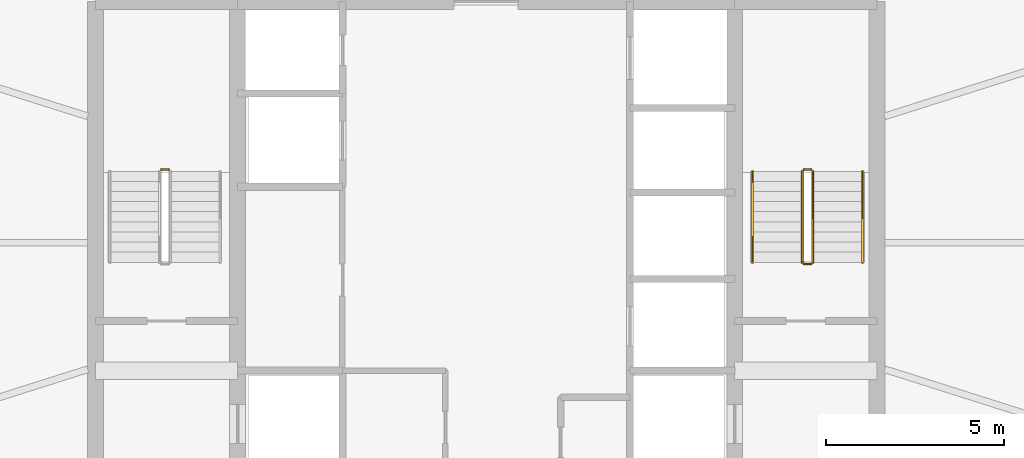
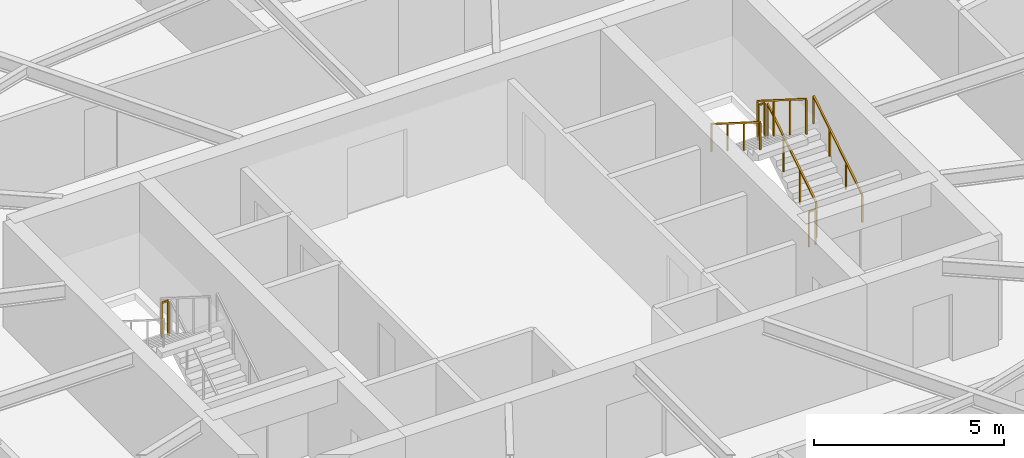
# One storey, part 29 of 29: 7 railings.
"""IFC4 building model written with IfcOpenShell, lengths in metres."""

from ifc_helpers import new_model, si_unit, direction, frame, origin, origin_2d, place, context, subcontext, project, spatial, rectangle, extrude, material, type_object, element, save


model = new_model("IFC4")

# Units and contexts
model_context = context("Model", 3, precision=1e-05, world=origin(), true_north=direction((0.0, 1.0)))
body_context = subcontext(model_context, "Body", "Model", "MODEL_VIEW")
ifc_project = project(units=[si_unit("LENGTHUNIT", "METRE"), si_unit("AREAUNIT", "SQUARE_METRE"), si_unit("VOLUMEUNIT", "CUBIC_METRE"), si_unit("PLANEANGLEUNIT", "RADIAN"), si_unit("MASSUNIT", "GRAM", prefix="KILO")], contexts=[model_context])

# Site, building, storey
site_placement = place(None, origin())
site = spatial("IfcSite", under=ifc_project, at=site_placement, CompositionType="ELEMENT")
building_placement = place(site_placement, origin())
building = spatial("IfcBuilding", under=site, at=building_placement, Name="Sarneth Arch Tower", CompositionType="ELEMENT")
storey_placement = place(building_placement, frame((0.0, 0.0, 165.0)))
storey = spatial("IfcBuildingStorey", under=building, at=storey_placement, Name="L41", CompositionType="ELEMENT", Elevation=165.0)

# Railings
ifc_material_1 = material(Name="Brushed Stainless Steel 304 tubular handrail", Category="steel")
railing_type_1 = type_object("IfcRailingType", Name="RAIL-HANDRAIL-900", PredefinedType="HANDRAIL", material=ifc_material_1)
railing_1_placement = place(storey_placement, frame((58.60009765625, 41.449951171875, 0.179931640625)))
element("IfcRailing", 1, at=railing_1_placement, inside=storey, type_object=railing_type_1, Name="L41 ST-2 stair handrail 1", PredefinedType="HANDRAIL", context=body_context, shape_type="SweptSolid", body=[
    extrude(rectangle(XDim=0.048095703125, YDim=0.048095703125, at=origin_2d()), frame((0.0, 0.0, 0.8759765625), z_axis=(0.0, 0.845465955043, 0.534029323973), x_axis=(-1.0, 0.0, 0.0)), (0.0, 0.0, 1.0), 3.03369140625),
    extrude(rectangle(XDim=0.0419921875, YDim=0.0419921875, at=origin_2d()), origin(), (0.0, 0.0, 1.0), 0.851806640625),
    extrude(rectangle(XDim=0.0419921875, YDim=0.0419921875, at=origin_2d()), frame((0.0, 0.85498046875, 0.5400390625)), (0.0, 0.0, 1.0), 0.851806640625),
    extrude(rectangle(XDim=0.0419921875, YDim=0.0419921875, at=origin_2d()), frame((0.0, 1.7099609375, 1.080078125)), (0.0, 0.0, 1.0), 0.851806640625),
    extrude(rectangle(XDim=0.0419921875, YDim=0.0419921875, at=origin_2d()), frame((0.0, 2.56494140625, 1.6201171875)), (0.0, 0.0, 1.0), 0.851806640625),
])
railing_2_placement = place(storey_placement, frame((55.5, 44.014892578125, 1.97998046875)))
element("IfcRailing", 2, at=railing_2_placement, inside=storey, type_object=railing_type_1, Name="L41 ST-2 stair handrail 2", PredefinedType="HANDRAIL", context=body_context, shape_type="SweptSolid", body=[
    extrude(rectangle(XDim=0.048095703125, YDim=0.048095703125, at=origin_2d()), frame((0.0, 0.0, 0.8759765625), z_axis=(0.0, -0.845465955043, 0.534029323973), x_axis=(1.0, 0.0, 0.0)), (0.0, 0.0, 1.0), 3.03369140625),
    extrude(rectangle(XDim=0.0419921875, YDim=0.0419921875, at=origin_2d()), origin(), (0.0, 0.0, 1.0), 0.851806640625),
    extrude(rectangle(XDim=0.0419921875, YDim=0.0419921875, at=origin_2d()), frame((0.0, -0.85498046875, 0.5400390625)), (0.0, 0.0, 1.0), 0.851806640625),
    extrude(rectangle(XDim=0.0419921875, YDim=0.0419921875, at=origin_2d()), frame((0.0, -1.7099609375, 1.080078125)), (0.0, 0.0, 1.0), 0.851806640625),
    extrude(rectangle(XDim=0.0419921875, YDim=0.0419921875, at=origin_2d()), frame((0.0, -2.56494140625, 1.6201171875)), (0.0, 0.0, 1.0), 0.851806640625),
])
ifc_material_2 = material(Name="Painted Steel S275 stair well guard", Category="steel")
railing_type_2 = type_object("IfcRailingType", Name="RAIL-STAIR-GUARD", PredefinedType="GUARDRAIL", material=ifc_material_2)
railing_3_placement = place(storey_placement, frame((39.050048828125, 44.06494140625, 1.800048828125)))
element("IfcRailing", 3, at=railing_3_placement, inside=storey, type_object=railing_type_2, Name="L41 ST-1 stair guard 2", PredefinedType="GUARDRAIL", context=body_context, shape_type="SweptSolid", body=[
    extrude(rectangle(XDim=0.048095703125, YDim=0.048095703125, at=origin_2d()), frame((0.0, 0.0, 1.1259765625), z_axis=(-1.0, 0.0, 0.0), x_axis=(0.0, -1.0, 0.0)), (0.0, 0.0, 1.0), 0.199951171875),
    extrude(rectangle(XDim=0.0419921875, YDim=0.0419921875, at=origin_2d()), origin(), (0.0, 0.0, 1.0), 1.101806640625),
    extrude(rectangle(XDim=0.0419921875, YDim=0.0419921875, at=origin_2d()), frame((-0.199951171875, 0.0, 0.0)), (0.0, 0.0, 1.0), 1.101806640625),
])
railing_4_placement = place(storey_placement, frame((57.199951171875, 41.449951171875, 0.179931640625)))
element("IfcRailing", 4, at=railing_4_placement, inside=storey, type_object=railing_type_2, Name="L41 ST-2 stair guard 1", PredefinedType="GUARDRAIL", context=body_context, shape_type="SweptSolid", body=[
    extrude(rectangle(XDim=0.048095703125, YDim=0.048095703125, at=origin_2d()), frame((0.0, 0.0, 1.1259765625), z_axis=(0.0, 0.845465955043, 0.534029323973), x_axis=(-1.0, 0.0, 0.0)), (0.0, 0.0, 1.0), 3.03369140625),
    extrude(rectangle(XDim=0.0419921875, YDim=0.0419921875, at=origin_2d()), origin(), (0.0, 0.0, 1.0), 1.101806640625),
    extrude(rectangle(XDim=0.0419921875, YDim=0.0419921875, at=origin_2d()), frame((0.0, 0.85498046875, 0.5400390625)), (0.0, 0.0, 1.0), 1.101806640625),
    extrude(rectangle(XDim=0.0419921875, YDim=0.0419921875, at=origin_2d()), frame((0.0, 1.7099609375, 1.080078125)), (0.0, 0.0, 1.0), 1.101806640625),
    extrude(rectangle(XDim=0.0419921875, YDim=0.0419921875, at=origin_2d()), frame((0.0, 2.56494140625, 1.6201171875)), (0.0, 0.0, 1.0), 1.101806640625),
])
railing_5_placement = place(storey_placement, frame((57.14990234375, 44.06494140625, 1.800048828125)))
element("IfcRailing", 5, at=railing_5_placement, inside=storey, type_object=railing_type_2, Name="L41 ST-2 stair guard 2", PredefinedType="GUARDRAIL", context=body_context, shape_type="SweptSolid", body=[
    extrude(rectangle(XDim=0.048095703125, YDim=0.048095703125, at=origin_2d()), frame((0.0, 0.0, 1.1259765625), z_axis=(-1.0, 0.0, 0.0), x_axis=(0.0, -1.0, 0.0)), (0.0, 0.0, 1.0), 0.199951171875),
    extrude(rectangle(XDim=0.0419921875, YDim=0.0419921875, at=origin_2d()), origin(), (0.0, 0.0, 1.0), 1.101806640625),
    extrude(rectangle(XDim=0.0419921875, YDim=0.0419921875, at=origin_2d()), frame((-0.199951171875, 0.0, 0.0)), (0.0, 0.0, 1.0), 1.101806640625),
])
railing_6_placement = place(storey_placement, frame((56.89990234375, 44.014892578125, 1.97998046875)))
element("IfcRailing", 6, at=railing_6_placement, inside=storey, type_object=railing_type_2, Name="L41 ST-2 stair guard 3", PredefinedType="GUARDRAIL", context=body_context, shape_type="SweptSolid", body=[
    extrude(rectangle(XDim=0.048095703125, YDim=0.048095703125, at=origin_2d()), frame((0.0, 0.0, 1.1259765625), z_axis=(0.0, -0.845465955043, 0.534029323973), x_axis=(1.0, 0.0, 0.0)), (0.0, 0.0, 1.0), 3.03369140625),
    extrude(rectangle(XDim=0.0419921875, YDim=0.0419921875, at=origin_2d()), origin(), (0.0, 0.0, 1.0), 1.101806640625),
    extrude(rectangle(XDim=0.0419921875, YDim=0.0419921875, at=origin_2d()), frame((0.0, -0.85498046875, 0.5400390625)), (0.0, 0.0, 1.0), 1.101806640625),
    extrude(rectangle(XDim=0.0419921875, YDim=0.0419921875, at=origin_2d()), frame((0.0, -1.7099609375, 1.080078125)), (0.0, 0.0, 1.0), 1.101806640625),
    extrude(rectangle(XDim=0.0419921875, YDim=0.0419921875, at=origin_2d()), frame((0.0, -2.56494140625, 1.6201171875)), (0.0, 0.0, 1.0), 1.101806640625),
])
railing_7_placement = place(storey_placement, frame((57.14990234375, 41.39990234375, 0.0)))
element("IfcRailing", 7, at=railing_7_placement, inside=storey, type_object=railing_type_2, Name="L41 ST-2 stair guard 4", PredefinedType="GUARDRAIL", context=body_context, shape_type="SweptSolid", body=[
    extrude(rectangle(XDim=0.048095703125, YDim=0.048095703125, at=origin_2d()), frame((0.0, 0.0, 1.1259765625), z_axis=(-1.0, 0.0, 0.0), x_axis=(0.0, -1.0, 0.0)), (0.0, 0.0, 1.0), 0.199951171875),
    extrude(rectangle(XDim=0.0419921875, YDim=0.0419921875, at=origin_2d()), origin(), (0.0, 0.0, 1.0), 1.101806640625),
    extrude(rectangle(XDim=0.0419921875, YDim=0.0419921875, at=origin_2d()), frame((-0.199951171875, 0.0, 0.0)), (0.0, 0.0, 1.0), 1.101806640625),
])

save(model, "model.ifc")
